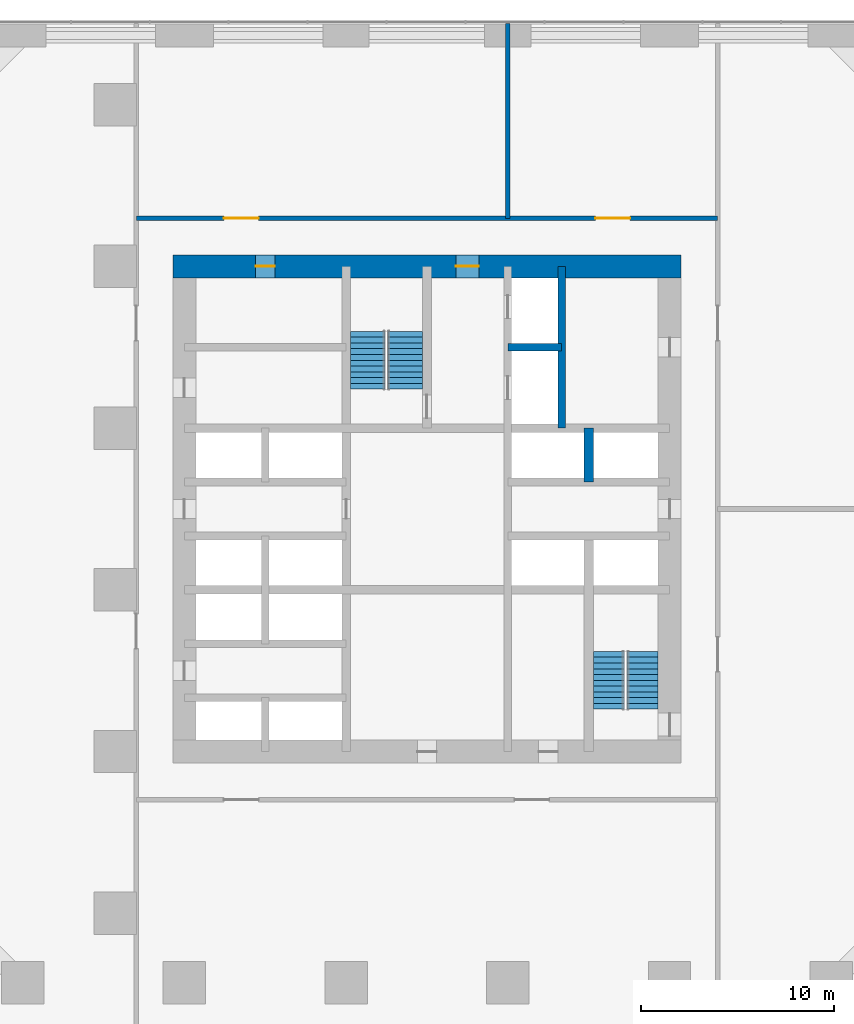
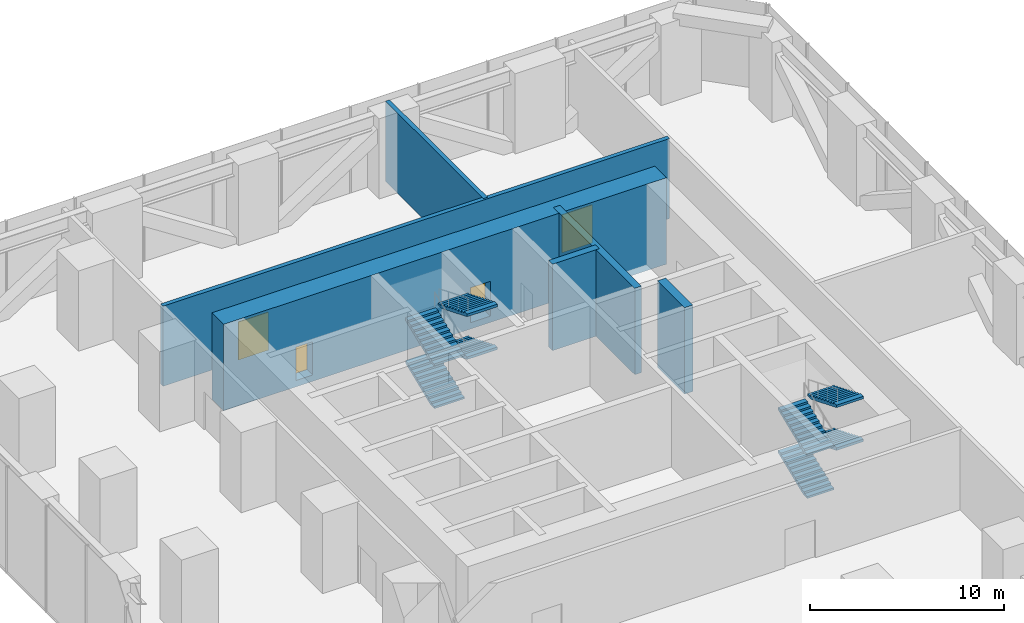
# One storey, part 9 of 10: 8 stair flights, 6 walls, 4 doors, 4 openings, 2 elements without a shape of their own.
"""IFC4 building model written with IfcOpenShell, lengths in metres."""

from ifc_helpers import new_model, si_unit, direction, frame, frame_2d, origin, place, context, subcontext, project, spatial, polyline, rectangle, outline, extrude, material, layer, layer_set, type_object, element, fill, aggregate, save


model = new_model("IFC4")

# Units and contexts
model_context = context("Model", 3, precision=1e-05, world=origin(), true_north=direction((0.0, 1.0)))
body_context = subcontext(model_context, "Body", "Model", "MODEL_VIEW")
ifc_project = project(units=[si_unit("LENGTHUNIT", "METRE"), si_unit("AREAUNIT", "SQUARE_METRE"), si_unit("VOLUMEUNIT", "CUBIC_METRE"), si_unit("PLANEANGLEUNIT", "RADIAN"), si_unit("MASSUNIT", "GRAM", prefix="KILO")], contexts=[model_context])

# Site, building, storey
site_placement = place(None, origin())
site = spatial("IfcSite", under=ifc_project, at=site_placement, CompositionType="ELEMENT")
building_placement = place(site_placement, origin())
building = spatial("IfcBuilding", under=site, at=building_placement, Name="Dunama Terrace Hotel", CompositionType="ELEMENT")
storey_placement = place(building_placement, frame((0.0, 0.0, 153.60009765625)))
storey = spatial("IfcBuildingStorey", under=building, at=storey_placement, Name="L39", CompositionType="ELEMENT", Elevation=153.60009765625)

# Walls
ifc_material_1 = material(Name="Concrete C50/60", Category="concrete")
ifc_layer_1 = layer(ifc_material_1, 0.39990234375)
ifc_layer_set_1 = layer_set([ifc_layer_1], Name="Core inner wall 400")
wall_type_1 = type_object("IfcWallType", Name="Core inner wall 400", PredefinedType="SHEAR", material=ifc_layer_set_1)
wall_1_placement = place(storey_placement, frame((36.39990234375, 33.60009765625, -0.400146484375), z_axis=(0.0, 0.0, 1.0), x_axis=(0.0, 1.0, 0.0)))
element("IfcWall", 1, at=wall_1_placement, inside=storey, type_object=wall_type_1, Name="Core inner wall 400 L39", PredefinedType="SHEAR", context=body_context, shape_type="SweptSolid", body=[
    extrude(rectangle(XDim=8.39990234375, YDim=0.39990234375, at=frame_2d((4.199951171875, 0.0))), origin(), (0.0, 0.0, 1.0), 5.449951171875),
])
wall_2_placement = place(storey_placement, frame((33.60009765625, 37.800048828125, -0.400146484375), z_axis=(0.0, 0.0, 1.0), x_axis=(1.0, 0.0, 0.0)))
element("IfcWall", 2, at=wall_2_placement, inside=storey, type_object=wall_type_1, Name="Core inner wall 400 L39", PredefinedType="SHEAR", context=body_context, shape_type="SweptSolid", body=[
    extrude(rectangle(XDim=2.7998046875, YDim=0.39990234375, at=frame_2d((1.39990234375, 0.0))), origin(), (0.0, 0.0, 1.0), 5.449951171875),
])
ifc_material_2 = material(Name="Concrete C50/60", Category="concrete")
ifc_layer_2 = layer(ifc_material_2, 0.5)
ifc_layer_set_2 = layer_set([ifc_layer_2], Name="Core inner wall 500")
wall_type_2 = type_object("IfcWallType", Name="Core inner wall 500", PredefinedType="SHEAR", material=ifc_layer_set_2)
wall_3_placement = place(storey_placement, frame((37.800048828125, 30.800048828125, -0.400146484375), z_axis=(0.0, 0.0, 1.0), x_axis=(0.0, 1.0, 0.0)))
element("IfcWall", 3, at=wall_3_placement, inside=storey, type_object=wall_type_2, Name="Core inner wall 500 L39", PredefinedType="SHEAR", context=body_context, shape_type="SweptSolid", body=[
    extrude(rectangle(XDim=2.800048828125, YDim=0.5, at=frame_2d((1.39990234375, 0.0))), origin(), (0.0, 0.0, 1.0), 5.449951171875),
])

# Wall, openings, doors
ifc_material_3 = material(Name="Concrete C60/75", Category="concrete")
ifc_layer_3 = layer(ifc_material_3, 1.199951171875)
ifc_layer_set_3 = layer_set([ifc_layer_3], Name="Core wall 1200")
wall_type_3 = type_object("IfcWallType", Name="Core wall 1200", PredefinedType="SHEAR", material=ifc_layer_set_3)
wall_4_placement = place(storey_placement, frame((42.60009765625, 42.0, -0.400146484375), z_axis=(0.0, 0.0, 1.0), x_axis=(-1.0, 0.0, 0.0)))
wall_4 = element("IfcWall", 4, at=wall_4_placement, inside=storey, type_object=wall_type_3, Name="Core wall north L39", PredefinedType="SHEAR", context=body_context, shape_type="SweptSolid", body=[
    extrude(rectangle(XDim=26.400146484375, YDim=1.199951171875, at=frame_2d((13.2001953125, 0.0))), origin(), (0.0, 0.0, 1.0), 5.449951171875),
])
opening_1_placement = place(wall_4_placement, frame((21.10009765625, 0.0, 0.39990234375)))
opening_1 = element("IfcOpeningElement", 5, at=opening_1_placement, cuts=wall_4, Name="Opening L39-016", PredefinedType="OPENING", context=body_context, shape_type="SweptSolid", body=[
    extrude(rectangle(XDim=1.0, YDim=2.10009765625, at=frame_2d((0.5, 1.050048828125))), frame((0.0, 0.60986328125, 0.0), z_axis=(0.0, -1.0, 0.0), x_axis=(1.0, 0.0, 0.0)), (0.0, 0.0, 1.0), 1.219970703125),
])
opening_2_placement = place(wall_4_placement, frame((10.5, 0.0, 0.39990234375)))
opening_2 = element("IfcOpeningElement", 6, at=opening_2_placement, cuts=wall_4, Name="Opening L39-019", PredefinedType="OPENING", context=body_context, shape_type="SweptSolid", body=[
    extrude(rectangle(XDim=1.199951171875, YDim=2.199951171875, at=frame_2d((0.60009765625, 1.10009765625))), frame((0.0, 0.60986328125, 0.0), z_axis=(0.0, -1.0, 0.0), x_axis=(1.0, 0.0, 0.0)), (0.0, 0.0, 1.0), 1.219970703125),
])
ifc_material_4 = material(Name="Timber door with steel frame", Category="steel")
door_type_1 = type_object("IfcDoorType", Name="Firefighting lobby door 1200", OperationType="SINGLE_SWING_LEFT", PredefinedType="DOOR", material=ifc_material_4)
door_1_placement = place(opening_2_placement, origin())
door_1 = element("IfcDoor", 7, at=door_1_placement, inside=storey, type_object=door_type_1, Name="Door to firefighting lobby L39-019, type D4", OperationType="SINGLE_SWING_RIGHT", OverallHeight=2.199951171875, OverallWidth=1.199951171875, PredefinedType="DOOR", context=body_context, shape_type="SweptSolid", body=[
    extrude(rectangle(XDim=1.199951171875, YDim=2.199951171875, at=frame_2d((0.60009765625, 1.10009765625))), frame((0.0, 0.02490234375, 0.0), z_axis=(0.0, -1.0, 0.0), x_axis=(1.0, 0.0, 0.0)), (0.0, 0.0, 1.0), 0.050048828125),
])
fill(opening_2, door_1)
ifc_material_5 = material(Name="Timber door with steel frame", Category="steel")
door_type_2 = type_object("IfcDoorType", Name="Service door 1000", OperationType="SINGLE_SWING_LEFT", PredefinedType="DOOR", material=ifc_material_5)
door_2_placement = place(opening_1_placement, origin())
door_2 = element("IfcDoor", 8, at=door_2_placement, inside=storey, type_object=door_type_2, Name="Door to communications and riser room L39-016, type D7", OperationType="SINGLE_SWING_LEFT", OverallHeight=2.10009765625, OverallWidth=1.0, PredefinedType="DOOR", context=body_context, shape_type="SweptSolid", body=[
    extrude(rectangle(XDim=1.0, YDim=2.10009765625, at=frame_2d((0.5, 1.050048828125))), frame((0.0, 0.02490234375, 0.0), z_axis=(0.0, -1.0, 0.0), x_axis=(1.0, 0.0, 0.0)), (0.0, 0.0, 1.0), 0.050048828125),
])
fill(opening_1, door_2)

# Wall
ifc_material_6 = material(Name="Concrete blockwork", Category="masonry")
ifc_layer_4 = layer(ifc_material_6, 0.25)
ifc_layer_set_4 = layer_set([ifc_layer_4], Name="Plant room wall 250")
wall_type_4 = type_object("IfcWallType", Name="Plant room wall 250", PredefinedType="PARTITIONING", material=ifc_layer_set_4)
wall_5_placement = place(storey_placement, frame((33.60009765625, 44.5, 0.0), z_axis=(0.0, 0.0, 1.0), x_axis=(0.0, 1.0, 0.0)))
element("IfcWall", 9, at=wall_5_placement, inside=storey, type_object=wall_type_4, Name="Plant room wall 250 L39", PredefinedType="PARTITIONING", context=body_context, shape_type="SweptSolid", body=[
    extrude(rectangle(XDim=10.117919921875, YDim=0.25, at=frame_2d((5.05908203125, 0.0))), origin(), (0.0, 0.0, 1.0), 5.0498046875),
])

# Wall, openings, doors
wall_6_placement = place(storey_placement, frame((14.300048828125, 44.5, 0.0), z_axis=(0.0, 0.0, 1.0), x_axis=(1.0, 0.0, 0.0)))
wall_6 = element("IfcWall", 10, at=wall_6_placement, inside=storey, type_object=wall_type_4, Name="Plant room wall 250 L39", PredefinedType="PARTITIONING", context=body_context, shape_type="SweptSolid", body=[
    extrude(rectangle(XDim=30.199951171875, YDim=0.25, at=frame_2d((15.10009765625, 0.0))), origin(), (0.0, 0.0, 1.0), 5.0498046875),
])
opening_3_placement = place(wall_6_placement, frame((4.550048828125, 0.0, 0.0)))
opening_3 = element("IfcOpeningElement", 11, at=opening_3_placement, cuts=wall_6, Name="Opening L39-011", PredefinedType="OPENING", context=body_context, shape_type="SweptSolid", body=[
    extrude(rectangle(XDim=1.800048828125, YDim=2.39990234375, at=frame_2d((0.89990234375, 1.199951171875))), frame((0.0, 0.135009765625, 0.0), z_axis=(0.0, -1.0, 0.0), x_axis=(1.0, 0.0, 0.0)), (0.0, 0.0, 1.0), 0.27001953125),
])
opening_4_placement = place(wall_6_placement, frame((23.85009765625, 0.0, 0.0)))
opening_4 = element("IfcOpeningElement", 12, at=opening_4_placement, cuts=wall_6, Name="Opening L39-012", PredefinedType="OPENING", context=body_context, shape_type="SweptSolid", body=[
    extrude(rectangle(XDim=1.800048828125, YDim=2.39990234375, at=frame_2d((0.89990234375, 1.199951171875))), frame((0.0, 0.135009765625, 0.0), z_axis=(0.0, -1.0, 0.0), x_axis=(1.0, 0.0, 0.0)), (0.0, 0.0, 1.0), 0.27001953125),
])
ifc_material_7 = material(Name="Timber door with steel frame", Category="steel")
door_type_3 = type_object("IfcDoorType", Name="Plant room double door 1800", OperationType="DOUBLE_DOOR_DOUBLE_SWING", PredefinedType="DOOR", material=ifc_material_7)
door_3_placement = place(opening_3_placement, origin())
door_3 = element("IfcDoor", 13, at=door_3_placement, inside=storey, type_object=door_type_3, Name="Door to fire water pump room L39-011, type D9", OperationType="DOUBLE_DOOR_DOUBLE_SWING", OverallHeight=2.39990234375, OverallWidth=1.800048828125, PredefinedType="DOOR", context=body_context, shape_type="SweptSolid", body=[
    extrude(rectangle(XDim=1.800048828125, YDim=2.39990234375, at=frame_2d((0.89990234375, 1.199951171875))), frame((0.0, 0.02490234375, 0.0), z_axis=(0.0, -1.0, 0.0), x_axis=(1.0, 0.0, 0.0)), (0.0, 0.0, 1.0), 0.050048828125),
])
fill(opening_3, door_3)
door_4_placement = place(opening_4_placement, origin())
door_4 = element("IfcDoor", 14, at=door_4_placement, inside=storey, type_object=door_type_3, Name="Door to air handling plant room L39-012, type D9", OperationType="DOUBLE_DOOR_DOUBLE_SWING", OverallHeight=2.39990234375, OverallWidth=1.800048828125, PredefinedType="DOOR", context=body_context, shape_type="SweptSolid", body=[
    extrude(rectangle(XDim=1.800048828125, YDim=2.39990234375, at=frame_2d((0.89990234375, 1.199951171875))), frame((0.0, 0.02490234375, 0.0), z_axis=(0.0, -1.0, 0.0), x_axis=(1.0, 0.0, 0.0)), (0.0, 0.0, 1.0), 0.050048828125),
])
fill(opening_4, door_4)

# Stair, stair flights
ifc_material_8 = material(Name="Concrete C40/50", Category="concrete")
stair_type_1 = type_object("IfcStairType", Name="Stair ST1-5400-1800", PredefinedType="HALF_TURN_STAIR", material=ifc_material_8)
stair_1_placement = place(storey_placement, origin())
stair_1 = element("IfcStair", 15, at=stair_1_placement, inside=storey, type_object=stair_type_1, Name="Stair ST1 L39", PredefinedType="HALF_TURN_STAIR")
ifc_material_9 = material(Name="Concrete C40/50", Category="concrete")
stair_flight_type_1 = type_object("IfcStairFlightType", Name="Stair flight ST1-5400-1800", PredefinedType="STRAIGHT", material=ifc_material_9)
stair_flight_1_placement = place(storey_placement, frame((26.324951171875, 35.625, 0.0), z_axis=(0.0, 0.0, 1.0), x_axis=(0.0, 1.0, 0.0)))
stair_flight_1 = element("IfcStairFlight", 16, at=stair_flight_1_placement, type_object=stair_flight_type_1, Name="ST1 flight 1", NumberOfRisers=11, NumberOfTreads=10, PredefinedType="STRAIGHT", RiserHeight=0.122727273, TreadLength=0.3, context=body_context, shape_type="SweptSolid", body=[
    extrude(outline(polyline([(0.0, 0.0), (0.0, 0.122802734375), (0.300048828125, 0.122802734375), (0.300048828125, 0.245361328125), (0.60009765625, 0.245361328125), (0.60009765625, 0.3681640625), (0.89990234375, 0.3681640625), (0.89990234375, 0.490966796875), (1.199951171875, 0.490966796875), (1.199951171875, 0.613525390625), (1.5, 0.613525390625), (1.5, 0.736328125), (1.800048828125, 0.736328125), (1.800048828125, 0.859130859375), (2.10009765625, 0.859130859375), (2.10009765625, 0.98193359375), (2.39990234375, 0.98193359375), (2.39990234375, 1.1044921875), (2.699951171875, 1.1044921875), (2.699951171875, 1.227294921875), (3.0, 1.227294921875), (3.0, 1.35009765625), (3.0, 1.0654296875), (0.39599609375, 0.0), (0.0, 0.0)])), frame((0.0, 0.89990234375, 0.0), z_axis=(0.0, -1.0, 0.0), x_axis=(1.0, 0.0, 0.0)), (0.0, 0.0, 1.0), 1.800048828125),
])
stair_flight_2_placement = place(storey_placement, frame((28.27490234375, 38.625, 1.349853515625), z_axis=(0.0, 0.0, 1.0), x_axis=(0.0, -1.0, 0.0)))
stair_flight_2 = element("IfcStairFlight", 17, at=stair_flight_2_placement, type_object=stair_flight_type_1, Name="ST1 flight 2", NumberOfRisers=11, NumberOfTreads=10, PredefinedType="STRAIGHT", RiserHeight=0.122727273, TreadLength=0.3, context=body_context, shape_type="SweptSolid", body=[
    extrude(outline(polyline([(0.0, 0.0), (0.0, 0.122802734375), (0.300048828125, 0.122802734375), (0.300048828125, 0.245361328125), (0.60009765625, 0.245361328125), (0.60009765625, 0.3681640625), (0.89990234375, 0.3681640625), (0.89990234375, 0.490966796875), (1.199951171875, 0.490966796875), (1.199951171875, 0.613525390625), (1.5, 0.613525390625), (1.5, 0.736328125), (1.800048828125, 0.736328125), (1.800048828125, 0.859130859375), (2.10009765625, 0.859130859375), (2.10009765625, 0.98193359375), (2.39990234375, 0.98193359375), (2.39990234375, 1.1044921875), (2.699951171875, 1.1044921875), (2.699951171875, 1.227294921875), (3.0, 1.227294921875), (3.0, 1.35009765625), (3.0, 1.0654296875), (0.39599609375, 0.0), (0.0, 0.0)])), frame((0.0, 0.89990234375, 0.0), z_axis=(0.0, -1.0, 0.0), x_axis=(1.0, 0.0, 0.0)), (0.0, 0.0, 1.0), 1.800048828125),
])
stair_flight_3_placement = place(storey_placement, frame((26.324951171875, 35.625, 2.699951171875), z_axis=(0.0, 0.0, 1.0), x_axis=(0.0, 1.0, 0.0)))
stair_flight_3 = element("IfcStairFlight", 18, at=stair_flight_3_placement, type_object=stair_flight_type_1, Name="ST1 flight 3", NumberOfRisers=11, NumberOfTreads=10, PredefinedType="STRAIGHT", RiserHeight=0.122727273, TreadLength=0.3, context=body_context, shape_type="SweptSolid", body=[
    extrude(outline(polyline([(0.0, 0.0), (0.0, 0.122802734375), (0.300048828125, 0.122802734375), (0.300048828125, 0.245361328125), (0.60009765625, 0.245361328125), (0.60009765625, 0.3681640625), (0.89990234375, 0.3681640625), (0.89990234375, 0.490966796875), (1.199951171875, 0.490966796875), (1.199951171875, 0.613525390625), (1.5, 0.613525390625), (1.5, 0.736328125), (1.800048828125, 0.736328125), (1.800048828125, 0.859130859375), (2.10009765625, 0.859130859375), (2.10009765625, 0.98193359375), (2.39990234375, 0.98193359375), (2.39990234375, 1.1044921875), (2.699951171875, 1.1044921875), (2.699951171875, 1.227294921875), (3.0, 1.227294921875), (3.0, 1.35009765625), (3.0, 1.0654296875), (0.39599609375, 0.0), (0.0, 0.0)])), frame((0.0, 0.89990234375, 0.0), z_axis=(0.0, -1.0, 0.0), x_axis=(1.0, 0.0, 0.0)), (0.0, 0.0, 1.0), 1.800048828125),
])
stair_flight_4_placement = place(storey_placement, frame((28.27490234375, 38.625, 4.0498046875), z_axis=(0.0, 0.0, 1.0), x_axis=(0.0, -1.0, 0.0)))
stair_flight_4 = element("IfcStairFlight", 19, at=stair_flight_4_placement, type_object=stair_flight_type_1, Name="ST1 flight 4", NumberOfRisers=11, NumberOfTreads=10, PredefinedType="STRAIGHT", RiserHeight=0.122727273, TreadLength=0.3, context=body_context, shape_type="SweptSolid", body=[
    extrude(outline(polyline([(0.0, 0.0), (0.0, 0.122802734375), (0.300048828125, 0.122802734375), (0.300048828125, 0.245361328125), (0.60009765625, 0.245361328125), (0.60009765625, 0.3681640625), (0.89990234375, 0.3681640625), (0.89990234375, 0.490966796875), (1.199951171875, 0.490966796875), (1.199951171875, 0.613525390625), (1.5, 0.613525390625), (1.5, 0.736328125), (1.800048828125, 0.736328125), (1.800048828125, 0.859130859375), (2.10009765625, 0.859130859375), (2.10009765625, 0.98193359375), (2.39990234375, 0.98193359375), (2.39990234375, 1.1044921875), (2.699951171875, 1.1044921875), (2.699951171875, 1.227294921875), (3.0, 1.227294921875), (3.0, 1.35009765625), (3.0, 1.0654296875), (0.39599609375, 0.0), (0.0, 0.0)])), frame((0.0, 0.89990234375, 0.0), z_axis=(0.0, -1.0, 0.0), x_axis=(1.0, 0.0, 0.0)), (0.0, 0.0, 1.0), 1.800048828125),
])
aggregate(stair_1, [stair_flight_1, stair_flight_2, stair_flight_3, stair_flight_4])

ifc_material_10 = material(Name="Concrete C40/50", Category="concrete")
stair_type_2 = type_object("IfcStairType", Name="Stair ST2-5400-1600", PredefinedType="HALF_TURN_STAIR", material=ifc_material_10)
stair_2_placement = place(storey_placement, origin())
stair_2 = element("IfcStair", 20, at=stair_2_placement, inside=storey, type_object=stair_type_2, Name="Stair ST2 L39", PredefinedType="HALF_TURN_STAIR")
ifc_material_11 = material(Name="Concrete C40/50", Category="concrete")
stair_flight_type_2 = type_object("IfcStairFlightType", Name="Stair flight ST2-5400-1600", PredefinedType="STRAIGHT", material=ifc_material_11)
stair_flight_5_placement = place(storey_placement, frame((38.85009765625, 19.0, 0.0), z_axis=(0.0, 0.0, 1.0), x_axis=(0.0, 1.0, 0.0)))
stair_flight_5 = element("IfcStairFlight", 21, at=stair_flight_5_placement, type_object=stair_flight_type_2, Name="ST2 flight 1", NumberOfRisers=11, NumberOfTreads=10, PredefinedType="STRAIGHT", RiserHeight=0.122727273, TreadLength=0.3, context=body_context, shape_type="SweptSolid", body=[
    extrude(outline(polyline([(0.0, 0.0), (0.0, 0.122802734375), (0.300048828125, 0.122802734375), (0.300048828125, 0.245361328125), (0.60009765625, 0.245361328125), (0.60009765625, 0.3681640625), (0.89990234375, 0.3681640625), (0.89990234375, 0.490966796875), (1.199951171875, 0.490966796875), (1.199951171875, 0.613525390625), (1.5, 0.613525390625), (1.5, 0.736328125), (1.800048828125, 0.736328125), (1.800048828125, 0.859130859375), (2.10009765625, 0.859130859375), (2.10009765625, 0.98193359375), (2.39990234375, 0.98193359375), (2.39990234375, 1.1044921875), (2.699951171875, 1.1044921875), (2.699951171875, 1.227294921875), (3.0, 1.227294921875), (3.0, 1.35009765625), (3.0, 1.0654296875), (0.39599609375, 0.0), (0.0, 0.0)])), frame((0.0, 0.800048828125, 0.0), z_axis=(0.0, -1.0, 0.0), x_axis=(1.0, 0.0, 0.0)), (0.0, 0.0, 1.0), 1.60009765625),
])
stair_flight_6_placement = place(storey_placement, frame((40.60009765625, 22.0, 1.349853515625), z_axis=(0.0, 0.0, 1.0), x_axis=(0.0, -1.0, 0.0)))
stair_flight_6 = element("IfcStairFlight", 22, at=stair_flight_6_placement, type_object=stair_flight_type_2, Name="ST2 flight 2", NumberOfRisers=11, NumberOfTreads=10, PredefinedType="STRAIGHT", RiserHeight=0.122727273, TreadLength=0.3, context=body_context, shape_type="SweptSolid", body=[
    extrude(outline(polyline([(0.0, 0.0), (0.0, 0.122802734375), (0.300048828125, 0.122802734375), (0.300048828125, 0.245361328125), (0.60009765625, 0.245361328125), (0.60009765625, 0.3681640625), (0.89990234375, 0.3681640625), (0.89990234375, 0.490966796875), (1.199951171875, 0.490966796875), (1.199951171875, 0.613525390625), (1.5, 0.613525390625), (1.5, 0.736328125), (1.800048828125, 0.736328125), (1.800048828125, 0.859130859375), (2.10009765625, 0.859130859375), (2.10009765625, 0.98193359375), (2.39990234375, 0.98193359375), (2.39990234375, 1.1044921875), (2.699951171875, 1.1044921875), (2.699951171875, 1.227294921875), (3.0, 1.227294921875), (3.0, 1.35009765625), (3.0, 1.0654296875), (0.39599609375, 0.0), (0.0, 0.0)])), frame((0.0, 0.800048828125, 0.0), z_axis=(0.0, -1.0, 0.0), x_axis=(1.0, 0.0, 0.0)), (0.0, 0.0, 1.0), 1.60009765625),
])
stair_flight_7_placement = place(storey_placement, frame((38.85009765625, 19.0, 2.699951171875), z_axis=(0.0, 0.0, 1.0), x_axis=(0.0, 1.0, 0.0)))
stair_flight_7 = element("IfcStairFlight", 23, at=stair_flight_7_placement, type_object=stair_flight_type_2, Name="ST2 flight 3", NumberOfRisers=11, NumberOfTreads=10, PredefinedType="STRAIGHT", RiserHeight=0.122727273, TreadLength=0.3, context=body_context, shape_type="SweptSolid", body=[
    extrude(outline(polyline([(0.0, 0.0), (0.0, 0.122802734375), (0.300048828125, 0.122802734375), (0.300048828125, 0.245361328125), (0.60009765625, 0.245361328125), (0.60009765625, 0.3681640625), (0.89990234375, 0.3681640625), (0.89990234375, 0.490966796875), (1.199951171875, 0.490966796875), (1.199951171875, 0.613525390625), (1.5, 0.613525390625), (1.5, 0.736328125), (1.800048828125, 0.736328125), (1.800048828125, 0.859130859375), (2.10009765625, 0.859130859375), (2.10009765625, 0.98193359375), (2.39990234375, 0.98193359375), (2.39990234375, 1.1044921875), (2.699951171875, 1.1044921875), (2.699951171875, 1.227294921875), (3.0, 1.227294921875), (3.0, 1.35009765625), (3.0, 1.0654296875), (0.39599609375, 0.0), (0.0, 0.0)])), frame((0.0, 0.800048828125, 0.0), z_axis=(0.0, -1.0, 0.0), x_axis=(1.0, 0.0, 0.0)), (0.0, 0.0, 1.0), 1.60009765625),
])
stair_flight_8_placement = place(storey_placement, frame((40.60009765625, 22.0, 4.0498046875), z_axis=(0.0, 0.0, 1.0), x_axis=(0.0, -1.0, 0.0)))
stair_flight_8 = element("IfcStairFlight", 24, at=stair_flight_8_placement, type_object=stair_flight_type_2, Name="ST2 flight 4", NumberOfRisers=11, NumberOfTreads=10, PredefinedType="STRAIGHT", RiserHeight=0.122727273, TreadLength=0.3, context=body_context, shape_type="SweptSolid", body=[
    extrude(outline(polyline([(0.0, 0.0), (0.0, 0.122802734375), (0.300048828125, 0.122802734375), (0.300048828125, 0.245361328125), (0.60009765625, 0.245361328125), (0.60009765625, 0.3681640625), (0.89990234375, 0.3681640625), (0.89990234375, 0.490966796875), (1.199951171875, 0.490966796875), (1.199951171875, 0.613525390625), (1.5, 0.613525390625), (1.5, 0.736328125), (1.800048828125, 0.736328125), (1.800048828125, 0.859130859375), (2.10009765625, 0.859130859375), (2.10009765625, 0.98193359375), (2.39990234375, 0.98193359375), (2.39990234375, 1.1044921875), (2.699951171875, 1.1044921875), (2.699951171875, 1.227294921875), (3.0, 1.227294921875), (3.0, 1.35009765625), (3.0, 1.0654296875), (0.39599609375, 0.0), (0.0, 0.0)])), frame((0.0, 0.800048828125, 0.0), z_axis=(0.0, -1.0, 0.0), x_axis=(1.0, 0.0, 0.0)), (0.0, 0.0, 1.0), 1.60009765625),
])
aggregate(stair_2, [stair_flight_5, stair_flight_6, stair_flight_7, stair_flight_8])

save(model, "model.ifc")
